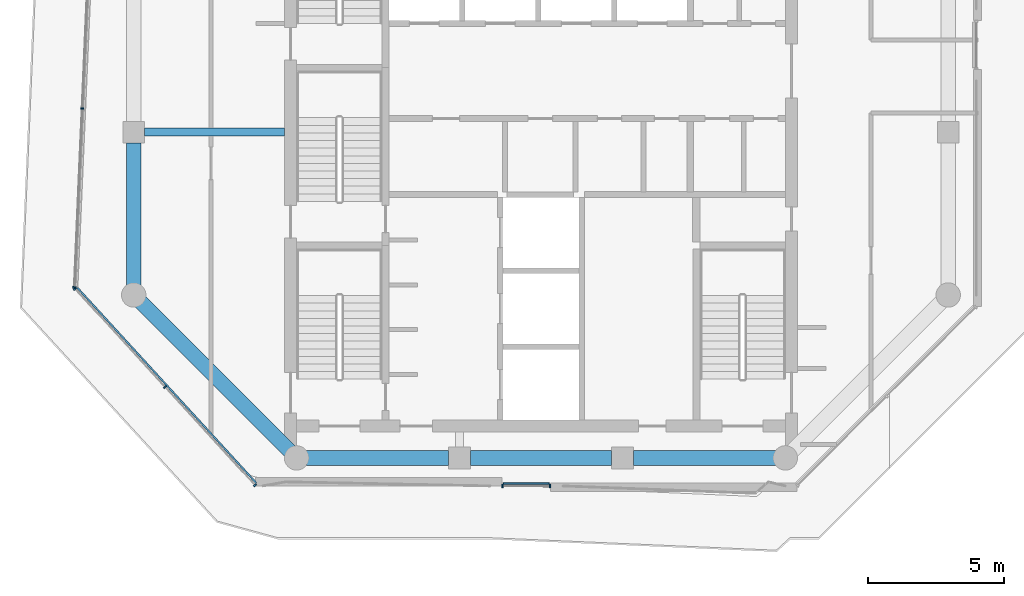
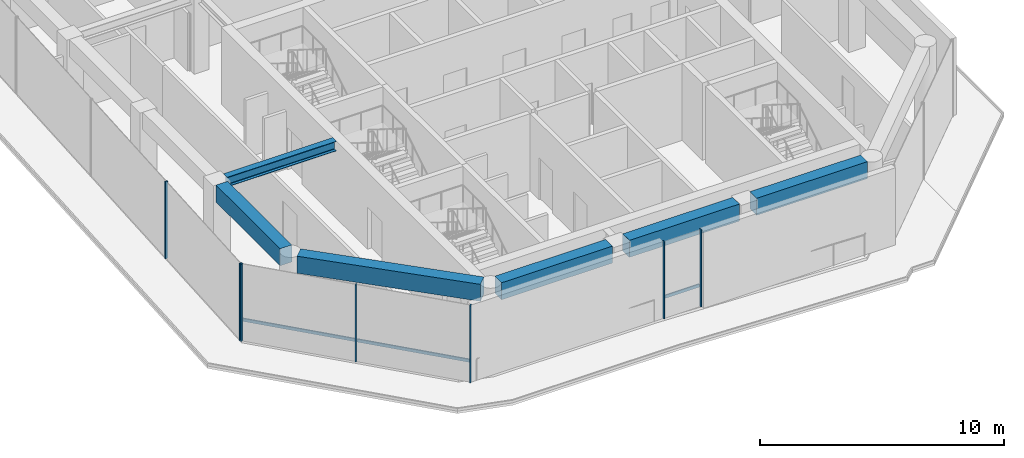
# One storey, part 2 of 20: 9 members, 6 beams, 3 elements without a shape of their own.
"""IFC4 building model written with IfcOpenShell, lengths in metres."""

import ifcopenshell
import ifcopenshell.guid

model = None  # the IFC model being written
_history = None  # IfcOwnerHistory: only IFC2X3 demands one
_inside = {}  # id of a spatial element -> (the spatial element, [elements in it])
_under = {}  # id of a project, library or spatial element -> (it, [spatial elements below it])
_declared = {}  # id of a project -> (the project, [libraries it declares])
_typed = {}  # id of a type object -> (the type object, [elements of that type])
_made_of = {}  # id of a material, layer set ... -> (it, [elements and type objects made of it])


def new_model(schema):
    """Start an empty IFC model of exactly this schema.

    Asked for "IFC4X3", IfcOpenShell would pick the latest addendum, in which some entities
    have other attributes; the version numbers below select the first issue.
    IFC2X3 requires an IfcOwnerHistory on every rooted entity: one is made here for all.
    """
    global model, _history
    if schema == "IFC4X3":
        model = ifcopenshell.file(schema_version=(4, 3, 0, 0))
    else:
        model = ifcopenshell.file(schema=schema)
    _inside.clear()
    _under.clear()
    _declared.clear()
    _typed.clear()
    _made_of.clear()
    _history = None
    if model.schema == "IFC2X3":
        org = make("IfcOrganization", Name="unknown")
        user = make(
            "IfcPersonAndOrganization",
            ThePerson=make("IfcPerson", FamilyName="unknown"),
            TheOrganization=org,
        )
        app = make(
            "IfcApplication",
            ApplicationDeveloper=org,
            Version="unknown",
            ApplicationFullName="unknown",
            ApplicationIdentifier="unknown",
        )
        _history = make(
            "IfcOwnerHistory",
            OwningUser=user,
            OwningApplication=app,
            ChangeAction="ADDED",
            CreationDate=0,
        )
    return model


def make(cls, **values):
    """One entity of the class cls with the attributes given. An attribute that is None is left unset."""
    return model.create_entity(
        cls, **{name: value for name, value in values.items() if value is not None}
    )


def rooted(cls, **values):
    """An entity with a GlobalId (a new one), such as an element, a storey or a relation."""
    return make(cls, GlobalId=ifcopenshell.guid.new(), OwnerHistory=_history, **values)


def si_unit(unit_type, name, prefix=None):
    """IfcSIUnit, for example si_unit("LENGTHUNIT", "METRE", prefix="MILLI")."""
    return make("IfcSIUnit", UnitType=unit_type, Prefix=prefix, Name=name)


def assignment(units):
    """IfcUnitAssignment: the units of a project."""
    return None if units is None else make("IfcUnitAssignment", Units=units)


def point(xyz):
    """IfcCartesianPoint."""
    return None if xyz is None else make("IfcCartesianPoint", Coordinates=xyz)


def direction(xyz):
    """IfcDirection."""
    return None if xyz is None else make("IfcDirection", DirectionRatios=xyz)


def frame(location, z_axis=None, x_axis=None):
    """IfcAxis2Placement3D, a coordinate frame: its origin and axes. An axis left out is left unset."""
    return make(
        "IfcAxis2Placement3D",
        Location=point(location),
        Axis=direction(z_axis),
        RefDirection=direction(x_axis),
    )


def frame_2d(location, x_axis=None):
    """IfcAxis2Placement2D, a coordinate frame in the plane: its origin and x axis."""
    return make(
        "IfcAxis2Placement2D", Location=point(location), RefDirection=direction(x_axis)
    )


def origin():
    """The frame at (0, 0, 0) with its axes left unset."""
    return frame((0.0, 0.0, 0.0))


def origin_2d():
    """The frame at (0, 0) in the plane with its x axis left unset."""
    return frame_2d((0.0, 0.0))


def place(relative_to, where):
    """IfcLocalPlacement: puts the frame where relative to a parent placement (None: the world)."""
    return make(
        "IfcLocalPlacement", PlacementRelTo=relative_to, RelativePlacement=where
    )


def context(
    kind, dimensions, precision=None, world=None, true_north=None, identifier=None
):
    """IfcGeometricRepresentationContext, for example the 3D "Model" context."""
    return make(
        "IfcGeometricRepresentationContext",
        ContextIdentifier=identifier,
        ContextType=kind,
        CoordinateSpaceDimension=dimensions,
        Precision=precision,
        WorldCoordinateSystem=world,
        TrueNorth=true_north,
    )


def subcontext(parent, identifier, kind, view, scale=None):
    """IfcGeometricRepresentationSubContext, for example "Body" below "Model"."""
    return make(
        "IfcGeometricRepresentationSubContext",
        ContextIdentifier=identifier,
        ContextType=kind,
        ParentContext=parent,
        TargetScale=scale,
        TargetView=view,
    )


def project(units=None, contexts=None):
    """IfcProject with its units and contexts."""
    return rooted(
        "IfcProject",
        Name="project",
        RepresentationContexts=contexts,
        UnitsInContext=assignment(units),
    )


def spatial(cls, under=None, at=None, **own):
    """A site, building, storey or space (cls), placed at a placement, below another one or the project."""
    s = rooted(cls, ObjectPlacement=at, **own)
    if under is not None:
        _under.setdefault(under.id(), (under, []))[1].append(s)
    return s


def profile(cls, at=None, kind="AREA", **sizes):
    """A parametric profile (cls). Its sizes go by their IFC names, for example OverallWidth=200.0."""
    return make(cls, ProfileType=kind, Position=at, **sizes)


def rectangle(**sizes):
    """IfcRectangleProfileDef."""
    return profile("IfcRectangleProfileDef", **sizes)


def i_section(**sizes):
    """IfcIShapeProfileDef."""
    return profile("IfcIShapeProfileDef", **sizes)


def extrude(swept, where, along, depth):
    """IfcExtrudedAreaSolid: the profile swept, set in the frame where, extruded along a direction by depth."""
    return make(
        "IfcExtrudedAreaSolid",
        SweptArea=swept,
        Position=where,
        ExtrudedDirection=direction(along),
        Depth=depth,
    )


def shape(context_of_items, identifier, shape_type, items):
    """IfcShapeRepresentation: the items that make up one representation, for example the "Body"."""
    return make(
        "IfcShapeRepresentation",
        ContextOfItems=context_of_items,
        RepresentationIdentifier=identifier,
        RepresentationType=shape_type,
        Items=items,
    )


def material(Name=None, Category=None):
    """IfcMaterial."""
    return make("IfcMaterial", Name=Name, Category=Category)


def layer(
    of_material, thickness, ventilated=None, Name=None, Category=None, Priority=None
):
    """IfcMaterialLayer: one layer of a wall or slab, of a material (None: an air gap)."""
    return make(
        "IfcMaterialLayer",
        Material=of_material,
        LayerThickness=thickness,
        IsVentilated=ventilated,
        Name=Name,
        Category=Category,
        Priority=Priority,
    )


def layer_set(layers, Name=None):
    """IfcMaterialLayerSet."""
    return make("IfcMaterialLayerSet", MaterialLayers=layers, LayerSetName=Name)


def material_profile(
    of_material, cross_section, Name=None, Category=None, Priority=None
):
    """IfcMaterialProfile: a cross section and its material."""
    return make(
        "IfcMaterialProfile",
        Name=Name,
        Material=of_material,
        Profile=cross_section,
        Priority=Priority,
        Category=Category,
    )


def profile_set(profiles, Name=None, composite=None):
    """IfcMaterialProfileSet."""
    return make(
        "IfcMaterialProfileSet",
        Name=Name,
        MaterialProfiles=profiles,
        CompositeProfile=composite,
    )


def made_of(thing, what):
    """Note that an element or type object is made of a material, layer set ...; save() writes the relation."""
    if what is not None:
        _made_of.setdefault(what.id(), (what, []))[1].append(thing)
    return thing


def type_object(cls, material=None, **own):
    """A type object (cls), such as IfcWallType, which elements share."""
    return made_of(rooted(cls, **own), material)


def element(
    cls,
    number,
    at=None,
    inside=None,
    cuts=None,
    type_object=None,
    material=None,
    context=None,
    identifier="Body",
    shape_type=None,
    held_by="IfcProductDefinitionShape",
    body=None,
    shapes=None,
    **own,
):
    """One element of the class cls, such as IfcWall. Its Tag is "e" and its number.

    at: its placement. inside: the storey or other place that contains it. cuts: it is an
    opening in that element (IfcRelVoidsElement). A single representation is given by context,
    identifier, shape_type and body (its items); several are given by shapes. held_by: the class
    of the entity that holds the representations. save() writes the other relations.
    """
    e = rooted(cls, Tag="e%d" % number, ObjectPlacement=at, **own)
    if body is not None:
        shapes = [shape(context, identifier, shape_type, body)]
    if shapes is not None:
        e.Representation = make(held_by, Representations=shapes)
    if inside is not None:
        _inside.setdefault(inside.id(), (inside, []))[1].append(e)
    if cuts is not None:
        rooted(
            "IfcRelVoidsElement", RelatingBuildingElement=cuts, RelatedOpeningElement=e
        )
    if type_object is not None:
        _typed.setdefault(type_object.id(), (type_object, []))[1].append(e)
    return made_of(e, material)


def aggregate(whole, parts):
    """IfcRelAggregates: a whole, such as a stair, and the parts it consists of."""
    return rooted("IfcRelAggregates", RelatingObject=whole, RelatedObjects=parts)


def save(model, path):
    """Write the relations noted so far, then the file.

    IfcRelAggregates (storeys below a building ...), IfcRelContainedInSpatialStructure (elements
    in a storey), IfcRelDefinesByType, IfcRelAssociatesMaterial and IfcRelDeclares: one each for
    every whole, place, type object, material and project.
    """
    for whole, parts in _under.values():
        aggregate(whole, parts)
    for where, things in _inside.values():
        rooted(
            "IfcRelContainedInSpatialStructure",
            RelatedElements=things,
            RelatingStructure=where,
        )
    for kind, things in _typed.values():
        rooted("IfcRelDefinesByType", RelatedObjects=things, RelatingType=kind)
    for what, things in _made_of.values():
        rooted("IfcRelAssociatesMaterial", RelatedObjects=things, RelatingMaterial=what)
    for by, libraries in _declared.values():
        rooted("IfcRelDeclares", RelatingContext=by, RelatedDefinitions=libraries)
    model.write(path)


model = new_model("IFC4")

# Units and contexts
model_context = context("Model", 3, precision=1e-05, world=origin(), true_north=direction((0.0, 1.0)))
body_context = subcontext(model_context, "Body", "Model", "MODEL_VIEW")
ifc_project = project(units=[si_unit("LENGTHUNIT", "METRE"), si_unit("AREAUNIT", "SQUARE_METRE"), si_unit("VOLUMEUNIT", "CUBIC_METRE"), si_unit("PLANEANGLEUNIT", "RADIAN"), si_unit("MASSUNIT", "GRAM", prefix="KILO")], contexts=[model_context])

# Site, building, storey
site_placement = place(None, origin())
site = spatial("IfcSite", under=ifc_project, at=site_placement, CompositionType="ELEMENT")
building_placement = place(site_placement, origin())
building = spatial("IfcBuilding", under=site, at=building_placement, Name="Welwitschia Terrace Campus", CompositionType="ELEMENT")
storey_placement = place(building_placement, frame((0.0, 0.0, 239.0)))
storey = spatial("IfcBuildingStorey", under=building, at=storey_placement, Name="L53", CompositionType="ELEMENT", Elevation=239.0)

# Curtain wall, members
ifc_material_1 = material(Name="Bronze anodised aluminium", Category="aluminium")
ifc_layer = layer(ifc_material_1, 0.1201171875)
ifc_layer_set = layer_set([ifc_layer], Name="Bronze anodised aluminium")
curtain_wall_type = type_object("IfcCurtainWallType", Name="Curtain wall CW2 tower 6000", PredefinedType="NOTDEFINED", material=ifc_layer_set)
curtain_wall_1_placement = place(storey_placement, origin())
curtain_wall_1 = element("IfcCurtainWall", 1, at=curtain_wall_1_placement, inside=storey, type_object=curtain_wall_type, Name="CW L53.0.0", PredefinedType="NOTDEFINED")
ifc_material_2 = material(Name="Bronze anodised aluminium", Category="aluminium")
ifc_material_profile_1 = material_profile(ifc_material_2, rectangle(XDim=0.1201171875, YDim=0.06005859375, at=origin_2d()))
ifc_profile_set_1 = profile_set([ifc_material_profile_1], Name="Bronze anodised aluminium")
member_type_1 = type_object("IfcMemberType", Name="Mullion 60x120", PredefinedType="MULLION", material=ifc_profile_set_1)
member_1_placement = place(storey_placement, frame((-1.896484375, 16.868896484375, 0.0), z_axis=(0.0, 0.0, 1.0), x_axis=(0.999048221582, -0.043619387365, 0.0)))
member_1 = element("IfcMember", 2, at=member_1_placement, type_object=member_type_1, Name="Mullion L53.0.0.3", PredefinedType="MULLION", context=body_context, shape_type="SweptSolid", body=[
    extrude(rectangle(XDim=0.1201171875, YDim=0.06005859375, at=origin_2d()), origin(), (0.0, 0.0, 1.0), 3.85009765625),
])
member_2_placement = place(storey_placement, frame((-2.18408203125, 10.283203125, 0.0), z_axis=(0.0, 0.0, 1.0), x_axis=(0.999048221582, -0.043619387365, 0.0)))
member_2 = element("IfcMember", 3, at=member_2_placement, type_object=member_type_1, Name="Mullion L53.0.0.4", PredefinedType="MULLION", context=body_context, shape_type="SweptSolid", body=[
    extrude(rectangle(XDim=0.1201171875, YDim=0.06005859375, at=origin_2d()), origin(), (0.0, 0.0, 1.0), 3.85009765625),
])
aggregate(curtain_wall_1, [member_1, member_2])

curtain_wall_2_placement = place(storey_placement, origin())
curtain_wall_2 = element("IfcCurtainWall", 4, at=curtain_wall_2_placement, inside=storey, type_object=curtain_wall_type, Name="CW L53.1.0", PredefinedType="NOTDEFINED")
member_3_placement = place(storey_placement, frame((-2.1650390625, 10.231201171875, 0.0), z_axis=(0.0, 0.0, 1.0), x_axis=(0.73727733681, 0.675590207616, 0.0)))
member_3 = element("IfcMember", 5, at=member_3_placement, type_object=member_type_1, Name="Mullion L53.1.0.0", PredefinedType="MULLION", context=body_context, shape_type="SweptSolid", body=[
    extrude(rectangle(XDim=0.1201171875, YDim=0.06005859375, at=origin_2d()), origin(), (0.0, 0.0, 1.0), 3.85009765625),
])
member_4_placement = place(storey_placement, frame((1.151611328125, 6.611572265625, 0.0), z_axis=(0.0, 0.0, 1.0), x_axis=(0.73727733681, 0.675590207616, 0.0)))
member_4 = element("IfcMember", 6, at=member_4_placement, type_object=member_type_1, Name="Mullion L53.1.0.1", PredefinedType="MULLION", context=body_context, shape_type="SweptSolid", body=[
    extrude(rectangle(XDim=0.1201171875, YDim=0.06005859375, at=origin_2d()), origin(), (0.0, 0.0, 1.0), 3.85009765625),
])
member_5_placement = place(storey_placement, frame((4.46826171875, 2.9921875, 0.0), z_axis=(0.0, 0.0, 1.0), x_axis=(0.73727733681, 0.675590207616, 0.0)))
member_5 = element("IfcMember", 7, at=member_5_placement, type_object=member_type_1, Name="Mullion L53.1.0.2", PredefinedType="MULLION", context=body_context, shape_type="SweptSolid", body=[
    extrude(rectangle(XDim=0.1201171875, YDim=0.06005859375, at=origin_2d()), origin(), (0.0, 0.0, 1.0), 3.85009765625),
])

curtain_wall_3_placement = place(storey_placement, origin())
curtain_wall_3 = element("IfcCurtainWall", 8, at=curtain_wall_3_placement, inside=storey, type_object=curtain_wall_type, Name="CW L53.2.S0", PredefinedType="NOTDEFINED")
member_6_placement = place(storey_placement, frame((13.587646484375, 2.969970703125, 0.0), z_axis=(0.0, 0.0, 1.0), x_axis=(0.0, 1.0, 0.0)))
member_6 = element("IfcMember", 9, at=member_6_placement, type_object=member_type_1, Name="Mullion L53.2.S0.0", PredefinedType="MULLION", context=body_context, shape_type="SweptSolid", body=[
    extrude(rectangle(XDim=0.1201171875, YDim=0.06005859375, at=origin_2d()), origin(), (0.0, 0.0, 1.0), 3.85009765625),
])
member_7_placement = place(storey_placement, frame((15.32763671875, 2.969970703125, 0.0), z_axis=(0.0, 0.0, 1.0), x_axis=(0.0, 1.0, 0.0)))
member_7 = element("IfcMember", 10, at=member_7_placement, type_object=member_type_1, Name="Mullion L53.2.S0.1", PredefinedType="MULLION", context=body_context, shape_type="SweptSolid", body=[
    extrude(rectangle(XDim=0.1201171875, YDim=0.06005859375, at=origin_2d()), origin(), (0.0, 0.0, 1.0), 3.85009765625),
])

# Beams
ifc_material_3 = material(Name="Steel S355", Category="steel")
ifc_material_profile_2 = material_profile(ifc_material_3, i_section(OverallWidth=0.300048828125, OverallDepth=0.489990234375, WebThickness=0.011962890625, FlangeThickness=0.02294921875, FilletRadius=0.027099609375, at=origin_2d()))
ifc_profile_set_2 = profile_set([ifc_material_profile_2], Name="Steel S355")
beam_type_1 = type_object("IfcBeamType", Name="Primary beam HE 500 A", PredefinedType="BEAM", material=ifc_profile_set_2)
beam_1_placement = place(storey_placement, frame((0.400390625, 16.0, 3.60498046875), z_axis=(1.0, 0.0, 0.0), x_axis=(0.0, 1.0, 0.0)))
element("IfcBeam", 11, at=beam_1_placement, inside=storey, type_object=beam_type_1, Name="Primary beam PB5", PredefinedType="BEAM", context=body_context, shape_type="SweptSolid", body=[
    extrude(i_section(OverallWidth=0.300048828125, OverallDepth=0.489990234375, WebThickness=0.011962890625, FlangeThickness=0.02294921875, FilletRadius=0.027099609375, at=origin_2d()), origin(), (0.0, 0.0, 1.0), 5.149658203125),
])
ifc_material_4 = material(Name="Concrete C50/60", Category="concrete")
ifc_material_profile_3 = material_profile(ifc_material_4, rectangle(XDim=0.550048828125, YDim=0.85009765625, at=origin_2d()))
ifc_profile_set_3 = profile_set([ifc_material_profile_3], Name="Concrete C50/60")
beam_type_2 = type_object("IfcBeamType", Name="Ring spandrel 550x850", PredefinedType="SPANDREL", material=ifc_profile_set_3)
beam_2_placement = place(storey_placement, frame((0.25244140625, 9.74755859375, 3.425048828125), z_axis=(0.707106781187, -0.707106781187, 0.0), x_axis=(0.707106781187, 0.707106781187, 0.0)))
element("IfcBeam", 12, at=beam_2_placement, inside=storey, type_object=beam_type_2, Name="Spandrel SP3", PredefinedType="SPANDREL", context=body_context, shape_type="SweptSolid", body=[
    extrude(rectangle(XDim=0.550048828125, YDim=0.85009765625, at=origin_2d()), origin(), (0.0, 0.0, 1.0), 7.771240234375),
])
beam_3_placement = place(storey_placement, frame((6.35693359375, 4.0, 3.425048828125), z_axis=(1.0, 0.0, 0.0), x_axis=(0.0, 1.0, 0.0)))
element("IfcBeam", 13, at=beam_3_placement, inside=storey, type_object=beam_type_2, Name="Spandrel SP3", PredefinedType="SPANDREL", context=body_context, shape_type="SweptSolid", body=[
    extrude(rectangle(XDim=0.550048828125, YDim=0.85009765625, at=origin_2d()), origin(), (0.0, 0.0, 1.0), 5.24267578125),
])
beam_4_placement = place(storey_placement, frame((12.400390625, 4.0, 3.425048828125), z_axis=(1.0, 0.0, 0.0), x_axis=(0.0, 1.0, 0.0)))
element("IfcBeam", 14, at=beam_4_placement, inside=storey, type_object=beam_type_2, Name="Spandrel SP3", PredefinedType="SPANDREL", context=body_context, shape_type="SweptSolid", body=[
    extrude(rectangle(XDim=0.550048828125, YDim=0.85009765625, at=origin_2d()), origin(), (0.0, 0.0, 1.0), 5.19921875),
])
for number, where, z_axis, x_axis, name in (
    (15, (18.400390625, 4.0, 3.425048828125), (1.0, 0.0, 0.0), (0.0, 1.0, 0.0), "Spandrel SP3"),
    (16, (0.0, 15.599609375, 3.425048828125), (0.0, -1.0, 0.0), (1.0, 0.0, 0.0), "Spandrel SP3"),
):
    element("IfcBeam", number, at=place(storey_placement, frame(where, z_axis=z_axis, x_axis=x_axis)), inside=storey, type_object=beam_type_2, Name=name, PredefinedType="SPANDREL", context=body_context, shape_type="SweptSolid", body=[
        extrude(rectangle(XDim=0.550048828125, YDim=0.85009765625, at=origin_2d()), origin(), (0.0, 0.0, 1.0), 5.24267578125),
    ])

# Member
ifc_material_5 = material(Name="Bronze anodised aluminium", Category="aluminium")
ifc_material_profile_4 = material_profile(ifc_material_5, rectangle(XDim=0.06005859375, YDim=0.14990234375, at=origin_2d()))
ifc_profile_set_4 = profile_set([ifc_material_profile_4], Name="Bronze anodised aluminium")
member_type_2 = type_object("IfcMemberType", Name="Transom 60x150", PredefinedType="USERDEFINED", material=ifc_profile_set_4)
member_8_placement = place(storey_placement, frame((-2.078369140625, 10.269775390625, 1.0), z_axis=(0.675586403923, -0.737280822234, 0.0), x_axis=(0.737280822234, 0.675586403923, 0.0)))
member_8 = element("IfcMember", 17, at=member_8_placement, type_object=member_type_2, Name="Transom L53.1.0", ObjectType="TRANSOM", PredefinedType="USERDEFINED", context=body_context, shape_type="SweptSolid", body=[
    extrude(rectangle(XDim=0.06005859375, YDim=0.14990234375, at=origin_2d()), origin(), (0.0, 0.0, 1.0), 9.758544921875),
])

aggregate(curtain_wall_2, [member_3, member_4, member_5, member_8])

member_9_placement = place(storey_placement, frame((13.61767578125, 3.06005859375, 1.0), z_axis=(1.0, 0.0, 0.0), x_axis=(0.0, 1.0, 0.0)))
member_9 = element("IfcMember", 18, at=member_9_placement, type_object=member_type_2, Name="Transom L53.2.S0", ObjectType="TRANSOM", PredefinedType="USERDEFINED", context=body_context, shape_type="SweptSolid", body=[
    extrude(rectangle(XDim=0.06005859375, YDim=0.14990234375, at=origin_2d()), origin(), (0.0, 0.0, 1.0), 1.679931640625),
])

aggregate(curtain_wall_3, [member_6, member_7, member_9])

save(model, "model.ifc")
